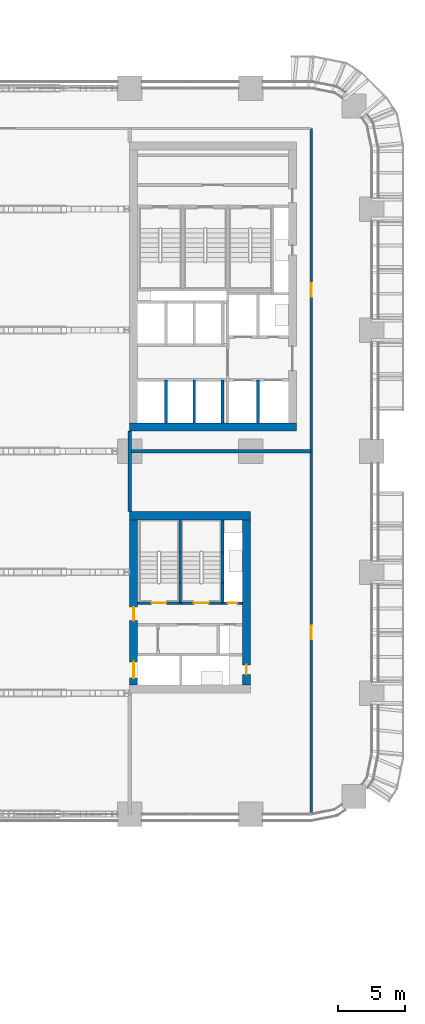
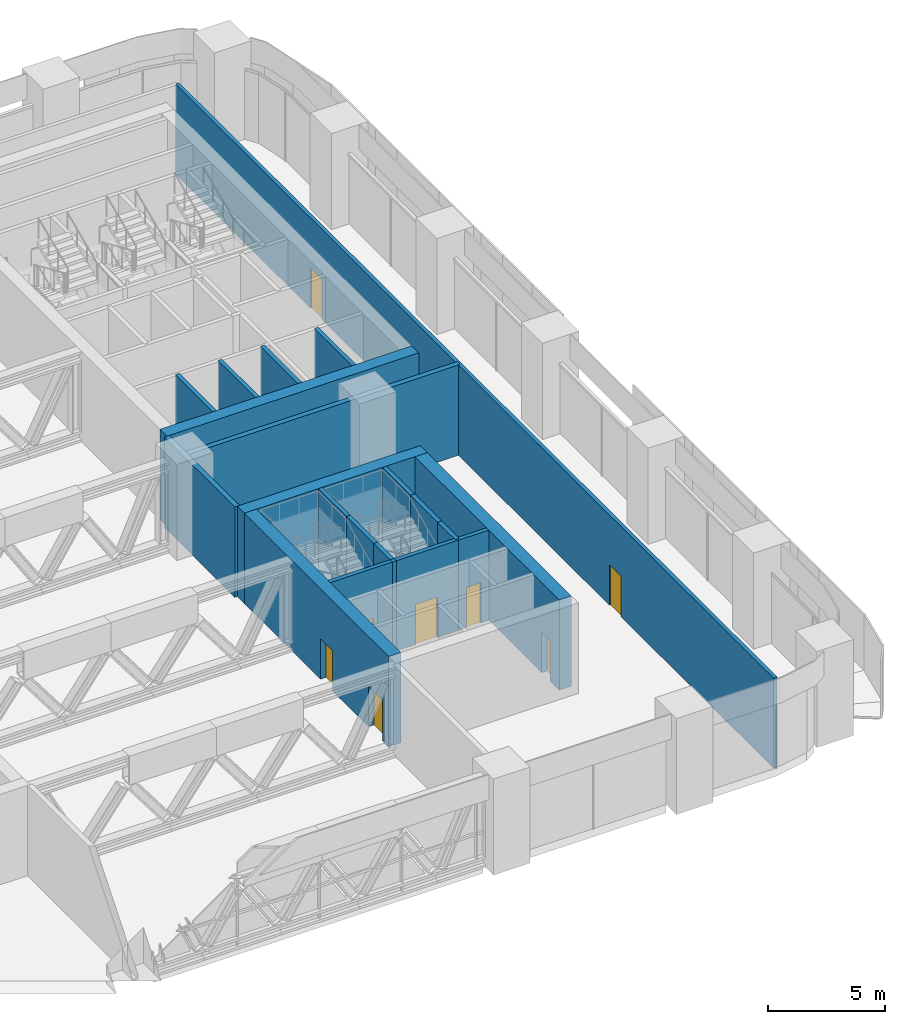
# One storey, part 23 of 35: 21 walls, 8 doors, 8 openings.
"""IFC4 building model written with IfcOpenShell, lengths in metres."""

from ifc_helpers import new_model, si_unit, direction, frame, frame_2d, origin, place, context, subcontext, project, spatial, rectangle, extrude, material, layer, layer_set, type_object, element, fill, save


model = new_model("IFC4")

# Units and contexts
model_context = context("Model", 3, precision=1e-05, world=origin(), true_north=direction((0.0, 1.0)))
body_context = subcontext(model_context, "Body", "Model", "MODEL_VIEW")
ifc_project = project(units=[si_unit("LENGTHUNIT", "METRE"), si_unit("AREAUNIT", "SQUARE_METRE"), si_unit("VOLUMEUNIT", "CUBIC_METRE"), si_unit("PLANEANGLEUNIT", "RADIAN"), si_unit("MASSUNIT", "GRAM", prefix="KILO")], contexts=[model_context])

# Site, building, storey
site_placement = place(None, origin())
site = spatial("IfcSite", under=ifc_project, at=site_placement, CompositionType="ELEMENT")
building_placement = place(site_placement, origin())
building = spatial("IfcBuilding", under=site, at=building_placement, Name="Tessera Arch", CompositionType="ELEMENT")
storey_placement = place(building_placement, frame((0.0, 0.0, 26.0)))
storey = spatial("IfcBuildingStorey", under=building, at=storey_placement, Name="L04", CompositionType="ELEMENT", Elevation=26.0)

# Walls
ifc_material_1 = material(Name="Concrete C70/85", Category="concrete")
ifc_layer_1 = layer(ifc_material_1, 0.60009765625)
ifc_layer_set_1 = layer_set([ifc_layer_1], Name="Core shell wall 600 C70-85")
wall_type_1 = type_object("IfcWallType", Name="Core shell wall 600 C70-85", PredefinedType="SHEAR", material=ifc_layer_set_1)
wall_1_placement = place(storey_placement, frame((36.0, 28.800048828125, 0.0), z_axis=(0.0, 0.0, 1.0), x_axis=(1.0, 0.0, 0.0)))
element("IfcWall", 1, at=wall_1_placement, inside=storey, type_object=wall_type_1, Name="L04 C1 core wall S", PredefinedType="SHEAR", context=body_context, shape_type="SweptSolid", body=[
    extrude(rectangle(XDim=12.39990234375, YDim=0.60009765625, at=frame_2d((6.199951171875, 0.0))), origin(), (0.0, 0.0, 1.0), 4.699951171875),
])
wall_2_placement = place(storey_placement, frame((36.0, 22.199951171875, 0.0), z_axis=(0.0, 0.0, 1.0), x_axis=(1.0, 0.0, 0.0)))
element("IfcWall", 2, at=wall_2_placement, inside=storey, type_object=wall_type_1, Name="L04 C3 core wall N", PredefinedType="SHEAR", context=body_context, shape_type="SweptSolid", body=[
    extrude(rectangle(XDim=9.0, YDim=0.60009765625, at=frame_2d((4.5, 0.0))), origin(), (0.0, 0.0, 1.0), 4.699951171875),
])

# Wall, openings, doors
wall_3_placement = place(storey_placement, frame((36.300048828125, 9.60009765625, 0.0), z_axis=(0.0, 0.0, 1.0), x_axis=(0.0, 1.0, 0.0)))
wall_3 = element("IfcWall", 3, at=wall_3_placement, inside=storey, type_object=wall_type_1, Name="L04 C3 core wall W", PredefinedType="SHEAR", context=body_context, shape_type="SweptSolid", body=[
    extrude(rectangle(XDim=12.2998046875, YDim=0.60009765625, at=frame_2d((6.14990234375, 0.0))), origin(), (0.0, 0.0, 1.0), 4.699951171875),
])
opening_1_placement = place(wall_3_placement, frame((0.52490234375, 0.0, 0.0)))
opening_1 = element("IfcOpeningElement", 4, at=opening_1_placement, cuts=wall_3, Name="Opening L04-C22", PredefinedType="OPENING", context=body_context, shape_type="SweptSolid", body=[
    extrude(rectangle(XDim=1.199951171875, YDim=2.10009765625, at=frame_2d((0.60009765625, 1.050048828125))), frame((0.0, 0.31005859375, 0.0), z_axis=(0.0, -1.0, 0.0), x_axis=(1.0, 0.0, 0.0)), (0.0, 0.0, 1.0), 0.6201171875),
])
opening_2_placement = place(wall_3_placement, frame((4.800048828125, 0.0, 0.0)))
opening_2 = element("IfcOpeningElement", 5, at=opening_2_placement, cuts=wall_3, Name="Opening L04-C28", PredefinedType="OPENING", context=body_context, shape_type="SweptSolid", body=[
    extrude(rectangle(XDim=1.0, YDim=2.10009765625, at=frame_2d((0.5, 1.050048828125))), frame((0.0, 0.31005859375, 0.0), z_axis=(0.0, -1.0, 0.0), x_axis=(1.0, 0.0, 0.0)), (0.0, 0.0, 1.0), 0.6201171875),
])
ifc_material_2 = material(Name="Steel door leaf", Category="steel")
door_type_1 = type_object("IfcDoorType", Name="Corridor door FD60 1000 x 2100", OperationType="SINGLE_SWING_LEFT", PredefinedType="DOOR", material=ifc_material_2)
door_1_placement = place(opening_2_placement, origin())
door_1 = element("IfcDoor", 6, at=door_1_placement, inside=storey, type_object=door_type_1, Name="L04 C3 door 7 C28 type D12", OperationType="SINGLE_SWING_LEFT", OverallHeight=2.10009765625, OverallWidth=1.0, PredefinedType="DOOR", context=body_context, shape_type="SweptSolid", body=[
    extrude(rectangle(XDim=1.0, YDim=2.10009765625, at=frame_2d((0.5, 1.050048828125))), frame((0.0, 0.02490234375, 0.0), z_axis=(0.0, -1.0, 0.0), x_axis=(1.0, 0.0, 0.0)), (0.0, 0.0, 1.0), 0.050048828125),
])
fill(opening_2, door_1)
ifc_material_3 = material(Name="Stainless steel AISI 304", Category="steel")
door_type_2 = type_object("IfcDoorType", Name="Sliding landing door 1200 x 2100", OperationType="SLIDING_TO_LEFT", PredefinedType="DOOR", material=ifc_material_3)
door_2_placement = place(opening_1_placement, origin())
door_2 = element("IfcDoor", 7, at=door_2_placement, inside=storey, type_object=door_type_2, Name="L04 SV1 lift landing door C22 type LD", OperationType="SLIDING_TO_LEFT", OverallHeight=2.10009765625, OverallWidth=1.199951171875, PredefinedType="DOOR", context=body_context, shape_type="SweptSolid", body=[
    extrude(rectangle(XDim=1.199951171875, YDim=2.10009765625, at=frame_2d((0.60009765625, 1.050048828125))), frame((0.0, 0.02490234375, 0.0), z_axis=(0.0, -1.0, 0.0), x_axis=(1.0, 0.0, 0.0)), (0.0, 0.0, 1.0), 0.050048828125),
])
fill(opening_1, door_2)

# Wall, opening, door
wall_4_placement = place(storey_placement, frame((44.699951171875, 9.60009765625, 0.0), z_axis=(0.0, 0.0, 1.0), x_axis=(0.0, 1.0, 0.0)))
wall_4 = element("IfcWall", 8, at=wall_4_placement, inside=storey, type_object=wall_type_1, Name="L04 C3 core wall E", PredefinedType="SHEAR", context=body_context, shape_type="SweptSolid", body=[
    extrude(rectangle(XDim=12.2998046875, YDim=0.60009765625, at=frame_2d((6.14990234375, 0.0))), origin(), (0.0, 0.0, 1.0), 4.699951171875),
])
opening_3_placement = place(wall_4_placement, frame((0.800048828125, 0.0, 0.0)))
opening_3 = element("IfcOpeningElement", 9, at=opening_3_placement, cuts=wall_4, Name="Opening L04-C27", PredefinedType="OPENING", context=body_context, shape_type="SweptSolid", body=[
    extrude(rectangle(XDim=0.699951171875, YDim=2.10009765625, at=frame_2d((0.35009765625, 1.050048828125))), frame((0.0, 0.31005859375, 0.0), z_axis=(0.0, -1.0, 0.0), x_axis=(1.0, 0.0, 0.0)), (0.0, 0.0, 1.0), 0.6201171875),
])
ifc_material_4 = material(Name="Steel door leaf", Category="steel")
door_type_3 = type_object("IfcDoorType", Name="Service shaft door FD60 700 x 2100", OperationType="SINGLE_SWING_LEFT", PredefinedType="DOOR", material=ifc_material_4)
door_3_placement = place(opening_3_placement, origin())
door_3 = element("IfcDoor", 10, at=door_3_placement, inside=storey, type_object=door_type_3, Name="L04 C3 door 6 C27 type D07", OperationType="SINGLE_SWING_LEFT", OverallHeight=2.10009765625, OverallWidth=0.699951171875, PredefinedType="DOOR", context=body_context, shape_type="SweptSolid", body=[
    extrude(rectangle(XDim=0.699951171875, YDim=2.10009765625, at=frame_2d((0.35009765625, 1.050048828125))), frame((0.0, 0.02490234375, 0.0), z_axis=(0.0, -1.0, 0.0), x_axis=(1.0, 0.0, 0.0)), (0.0, 0.0, 1.0), 0.050048828125),
])
fill(opening_3, door_3)

# Wall, openings, doors
ifc_material_5 = material(Name="Gypsum board on deep steel stud with mineral wool", Category="steel")
ifc_layer_2 = layer(ifc_material_5, 0.175048828125)
ifc_layer_set_2 = layer_set([ifc_layer_2], Name="Corridor wall 175 EI 60")
wall_type_2 = type_object("IfcWallType", Name="Corridor wall 175 EI 60", PredefinedType="PARTITIONING", material=ifc_layer_set_2)
wall_5_placement = place(storey_placement, frame((49.5, 0.0, 0.0), z_axis=(0.0, 0.0, 1.0), x_axis=(0.0, 1.0, 0.0)))
wall_5 = element("IfcWall", 11, at=wall_5_placement, inside=storey, type_object=wall_type_2, Name="L04 partition 3", PredefinedType="PARTITIONING", context=body_context, shape_type="SweptSolid", body=[
    extrude(rectangle(XDim=51.0, YDim=0.175048828125, at=frame_2d((25.5, 0.0))), origin(), (0.0, 0.0, 1.0), 4.699951171875),
])
opening_4_placement = place(wall_5_placement, frame((13.0, 0.0, 0.0)))
opening_4 = element("IfcOpeningElement", 12, at=opening_4_placement, cuts=wall_5, Name="Opening L04-D003", PredefinedType="OPENING", context=body_context, shape_type="SweptSolid", body=[
    extrude(rectangle(XDim=1.0, YDim=2.10009765625, at=frame_2d((0.5, 1.050048828125))), frame((0.0, 0.097412109375, 0.0), z_axis=(0.0, -1.0, 0.0), x_axis=(1.0, 0.0, 0.0)), (0.0, 0.0, 1.0), 0.195068359375),
])
opening_5_placement = place(wall_5_placement, frame((38.5, 0.0, 0.0)))
opening_5 = element("IfcOpeningElement", 13, at=opening_5_placement, cuts=wall_5, Name="Opening L04-D004", PredefinedType="OPENING", context=body_context, shape_type="SweptSolid", body=[
    extrude(rectangle(XDim=1.0, YDim=2.10009765625, at=frame_2d((0.5, 1.050048828125))), frame((0.0, 0.097412109375, 0.0), z_axis=(0.0, -1.0, 0.0), x_axis=(1.0, 0.0, 0.0)), (0.0, 0.0, 1.0), 0.195068359375),
])
ifc_material_6 = material(Name="Fire-rated door leaf")
door_type_4 = type_object("IfcDoorType", Name="Entrance door FD60 1000 x 2100", OperationType="SINGLE_SWING_LEFT", PredefinedType="DOOR", material=ifc_material_6)
door_4_placement = place(opening_4_placement, origin())
door_4 = element("IfcDoor", 14, at=door_4_placement, inside=storey, type_object=door_type_4, Name="L04 door D003 type D16", OperationType="SINGLE_SWING_RIGHT", OverallHeight=2.10009765625, OverallWidth=1.0, PredefinedType="DOOR", context=body_context, shape_type="SweptSolid", body=[
    extrude(rectangle(XDim=1.0, YDim=2.10009765625, at=frame_2d((0.5, 1.050048828125))), frame((0.0, 0.02490234375, 0.0), z_axis=(0.0, -1.0, 0.0), x_axis=(1.0, 0.0, 0.0)), (0.0, 0.0, 1.0), 0.050048828125),
])
fill(opening_4, door_4)
door_5_placement = place(opening_5_placement, origin())
door_5 = element("IfcDoor", 15, at=door_5_placement, inside=storey, type_object=door_type_4, Name="L04 door D004 type D16", OperationType="SINGLE_SWING_RIGHT", OverallHeight=2.10009765625, OverallWidth=1.0, PredefinedType="DOOR", context=body_context, shape_type="SweptSolid", body=[
    extrude(rectangle(XDim=1.0, YDim=2.10009765625, at=frame_2d((0.5, 1.050048828125))), frame((0.0, 0.02490234375, 0.0), z_axis=(0.0, -1.0, 0.0), x_axis=(1.0, 0.0, 0.0)), (0.0, 0.0, 1.0), 0.050048828125),
])
fill(opening_5, door_5)

# Walls
ifc_material_7 = material(Name="Double gypsum board on twin steel stud with acoustic mineral wool", Category="steel")
ifc_layer_3 = layer(ifc_material_7, 0.25)
ifc_layer_set_3 = layer_set([ifc_layer_3], Name="Party wall 250 EI 60")
wall_type_3 = type_object("IfcWallType", Name="Party wall 250 EI 60", PredefinedType="PARTITIONING", material=ifc_layer_set_3)
wall_6_placement = place(storey_placement, frame((36.0, 27.0, 0.0), z_axis=(0.0, 0.0, 1.0), x_axis=(1.0, 0.0, 0.0)))
element("IfcWall", 16, at=wall_6_placement, inside=storey, type_object=wall_type_3, Name="L04 partition 5", PredefinedType="PARTITIONING", context=body_context, shape_type="SweptSolid", body=[
    extrude(rectangle(XDim=13.5, YDim=0.25, at=frame_2d((6.75, 0.0))), origin(), (0.0, 0.0, 1.0), 4.699951171875),
])
wall_7_placement = place(storey_placement, frame((36.0, 22.5, 0.0), z_axis=(0.0, 0.0, 1.0), x_axis=(0.0, 1.0, 0.0)))
element("IfcWall", 17, at=wall_7_placement, inside=storey, type_object=wall_type_3, Name="L04 partition 10", PredefinedType="PARTITIONING", context=body_context, shape_type="SweptSolid", body=[
    extrude(rectangle(XDim=6.0, YDim=0.25, at=frame_2d((3.0, 0.0))), origin(), (0.0, 0.0, 1.0), 4.699951171875),
])
ifc_material_8 = material(Name="Concrete C40/50", Category="concrete")
ifc_layer_4 = layer(ifc_material_8, 0.199951171875)
ifc_layer_set_4 = layer_set([ifc_layer_4], Name="Shaft wall 200 EI 120")
wall_type_4 = type_object("IfcWallType", Name="Shaft wall 200 EI 120", PredefinedType="SOLIDWALL", material=ifc_layer_set_4)
for number, where, z_axis, x_axis, name in (
    (18, (38.699951171875, 29.10009765625, 0.0), (0.0, 0.0, 1.0), (0.0, 1.0, 0.0), "L04 C1 shaft wall 1"),
    (19, (40.800048828125, 29.10009765625, 0.0), (0.0, 0.0, 1.0), (0.0, 1.0, 0.0), "L04 C1 shaft wall 6"),
    (20, (42.89990234375, 29.10009765625, 0.0), (0.0, 0.0, 1.0), (0.0, 1.0, 0.0), "L04 C1 shaft wall 8"),
    (21, (45.550048828125, 29.10009765625, 0.0), (0.0, 0.0, 1.0), (0.0, 1.0, 0.0), "L04 C1 shaft wall 14"),
):
    element("IfcWall", number, at=place(storey_placement, frame(where, z_axis=z_axis, x_axis=x_axis)), inside=storey, type_object=wall_type_4, Name=name, PredefinedType="SOLIDWALL", context=body_context, shape_type="SweptSolid", body=[
        extrude(rectangle(XDim=3.199951171875, YDim=0.199951171875, at=frame_2d((1.60009765625, 0.0))), origin(), (0.0, 0.0, 1.0), 4.699951171875),
    ])

# Wall, opening, door
wall_8_placement = place(storey_placement, frame((42.89990234375, 15.699951171875, 0.0), z_axis=(0.0, 0.0, 1.0), x_axis=(1.0, 0.0, 0.0)))
wall_8 = element("IfcWall", 22, at=wall_8_placement, inside=storey, type_object=wall_type_4, Name="L04 C3 shaft wall 13", PredefinedType="SOLIDWALL", context=body_context, shape_type="SweptSolid", body=[
    extrude(rectangle(XDim=1.5, YDim=0.199951171875, at=frame_2d((0.75, 0.0))), origin(), (0.0, 0.0, 1.0), 4.699951171875),
])
opening_6_placement = place(wall_8_placement, frame((0.39990234375, 0.0, 0.0)))
opening_6 = element("IfcOpeningElement", 23, at=opening_6_placement, cuts=wall_8, Name="Opening L04-C25", PredefinedType="OPENING", context=body_context, shape_type="SweptSolid", body=[
    extrude(rectangle(XDim=0.699951171875, YDim=2.10009765625, at=frame_2d((0.35009765625, 1.050048828125))), frame((0.0, 0.10986328125, 0.0), z_axis=(0.0, -1.0, 0.0), x_axis=(1.0, 0.0, 0.0)), (0.0, 0.0, 1.0), 0.219970703125),
])
door_6_placement = place(opening_6_placement, origin())
door_6 = element("IfcDoor", 24, at=door_6_placement, inside=storey, type_object=door_type_3, Name="L04 C3 door 4 C25 type D07", OperationType="SINGLE_SWING_LEFT", OverallHeight=2.10009765625, OverallWidth=0.699951171875, PredefinedType="DOOR", context=body_context, shape_type="SweptSolid", body=[
    extrude(rectangle(XDim=0.699951171875, YDim=2.10009765625, at=frame_2d((0.35009765625, 1.050048828125))), frame((0.0, 0.02490234375, 0.0), z_axis=(0.0, -1.0, 0.0), x_axis=(1.0, 0.0, 0.0)), (0.0, 0.0, 1.0), 0.050048828125),
])
fill(opening_6, door_6)

# Walls
ifc_material_9 = material(Name="Concrete C40/50", Category="concrete")
ifc_layer_5 = layer(ifc_material_9, 0.199951171875)
ifc_layer_set_5 = layer_set([ifc_layer_5], Name="Stair well wall 200 REI 180")
wall_type_5 = type_object("IfcWallType", Name="Stair well wall 200 REI 180", PredefinedType="SOLIDWALL", material=ifc_layer_set_5)
wall_9_placement = place(storey_placement, frame((39.75, 15.699951171875, 0.0), z_axis=(0.0, 0.0, 1.0), x_axis=(0.0, 1.0, 0.0)))
element("IfcWall", 25, at=wall_9_placement, inside=storey, type_object=wall_type_5, Name="L04 C3 shaft wall 2", PredefinedType="SOLIDWALL", context=body_context, shape_type="SweptSolid", body=[
    extrude(rectangle(XDim=1.5, YDim=0.199951171875, at=frame_2d((0.75, 0.0))), origin(), (0.0, 0.0, 1.0), 4.699951171875),
])
wall_10_placement = place(storey_placement, frame((39.75, 17.199951171875, 0.0), z_axis=(0.0, 0.0, 1.0), x_axis=(0.0, 1.0, 0.0)))
element("IfcWall", 26, at=wall_10_placement, inside=storey, type_object=wall_type_5, Name="L04 C3 shaft wall 3", PredefinedType="SOLIDWALL", context=body_context, shape_type="SweptSolid", body=[
    extrude(rectangle(XDim=2.31005859375, YDim=0.199951171875, at=frame_2d((1.155029296875, 0.0))), origin(), (0.0, 0.0, 1.0), 4.699951171875),
])
wall_11_placement = place(storey_placement, frame((39.75, 19.510009765625, 0.0), z_axis=(0.0, 0.0, 1.0), x_axis=(0.0, 1.0, 0.0)))
element("IfcWall", 27, at=wall_11_placement, inside=storey, type_object=wall_type_5, Name="L04 C3 shaft wall 4", PredefinedType="SOLIDWALL", context=body_context, shape_type="SweptSolid", body=[
    extrude(rectangle(XDim=2.389892578125, YDim=0.199951171875, at=frame_2d((1.19482421875, 0.0))), origin(), (0.0, 0.0, 1.0), 4.699951171875),
])
wall_12_placement = place(storey_placement, frame((42.89990234375, 15.699951171875, 0.0), z_axis=(0.0, 0.0, 1.0), x_axis=(0.0, 1.0, 0.0)))
element("IfcWall", 28, at=wall_12_placement, inside=storey, type_object=wall_type_5, Name="L04 C3 shaft wall 7", PredefinedType="SOLIDWALL", context=body_context, shape_type="SweptSolid", body=[
    extrude(rectangle(XDim=1.5, YDim=0.199951171875, at=frame_2d((0.75, 0.0))), origin(), (0.0, 0.0, 1.0), 4.699951171875),
])
wall_13_placement = place(storey_placement, frame((42.89990234375, 17.199951171875, 0.0), z_axis=(0.0, 0.0, 1.0), x_axis=(0.0, 1.0, 0.0)))
element("IfcWall", 29, at=wall_13_placement, inside=storey, type_object=wall_type_5, Name="L04 C3 shaft wall 8", PredefinedType="SOLIDWALL", context=body_context, shape_type="SweptSolid", body=[
    extrude(rectangle(XDim=2.31005859375, YDim=0.199951171875, at=frame_2d((1.155029296875, 0.0))), origin(), (0.0, 0.0, 1.0), 4.699951171875),
])
wall_14_placement = place(storey_placement, frame((42.89990234375, 19.510009765625, 0.0), z_axis=(0.0, 0.0, 1.0), x_axis=(0.0, 1.0, 0.0)))
element("IfcWall", 30, at=wall_14_placement, inside=storey, type_object=wall_type_5, Name="L04 C3 shaft wall 9", PredefinedType="SOLIDWALL", context=body_context, shape_type="SweptSolid", body=[
    extrude(rectangle(XDim=2.389892578125, YDim=0.199951171875, at=frame_2d((1.19482421875, 0.0))), origin(), (0.0, 0.0, 1.0), 4.699951171875),
])

# Wall, opening, door
wall_15_placement = place(storey_placement, frame((36.60009765625, 15.699951171875, 0.0), z_axis=(0.0, 0.0, 1.0), x_axis=(1.0, 0.0, 0.0)))
wall_15 = element("IfcWall", 31, at=wall_15_placement, inside=storey, type_object=wall_type_5, Name="L04 C3 shaft wall 14", PredefinedType="SOLIDWALL", context=body_context, shape_type="SweptSolid", body=[
    extrude(rectangle(XDim=3.0498046875, YDim=0.199951171875, at=frame_2d((1.52490234375, 0.0))), origin(), (0.0, 0.0, 1.0), 4.699951171875),
])
opening_7_placement = place(wall_15_placement, frame((1.02490234375, 0.0, 0.0)))
opening_7 = element("IfcOpeningElement", 32, at=opening_7_placement, cuts=wall_15, Name="Opening L04-C23", PredefinedType="OPENING", context=body_context, shape_type="SweptSolid", body=[
    extrude(rectangle(XDim=1.10009765625, YDim=2.10009765625, at=frame_2d((0.550048828125, 1.050048828125))), frame((0.0, 0.10986328125, 0.0), z_axis=(0.0, -1.0, 0.0), x_axis=(1.0, 0.0, 0.0)), (0.0, 0.0, 1.0), 0.219970703125),
])
ifc_material_10 = material(Name="Steel door leaf", Category="steel")
door_type_5 = type_object("IfcDoorType", Name="Stair door FD60 1100 x 2100", OperationType="SINGLE_SWING_LEFT", PredefinedType="DOOR", material=ifc_material_10)
door_7_placement = place(opening_7_placement, origin())
door_7 = element("IfcDoor", 33, at=door_7_placement, inside=storey, type_object=door_type_5, Name="L04 C3 door 2 C23 type D05", OperationType="SINGLE_SWING_RIGHT", OverallHeight=2.10009765625, OverallWidth=1.10009765625, PredefinedType="DOOR", context=body_context, shape_type="SweptSolid", body=[
    extrude(rectangle(XDim=1.10009765625, YDim=2.10009765625, at=frame_2d((0.550048828125, 1.050048828125))), frame((0.0, 0.02490234375, 0.0), z_axis=(0.0, -1.0, 0.0), x_axis=(1.0, 0.0, 0.0)), (0.0, 0.0, 1.0), 0.050048828125),
])
fill(opening_7, door_7)

# Wall
wall_16_placement = place(storey_placement, frame((39.64990234375, 15.699951171875, 0.0), z_axis=(0.0, 0.0, 1.0), x_axis=(1.0, 0.0, 0.0)))
element("IfcWall", 34, at=wall_16_placement, inside=storey, type_object=wall_type_5, Name="L04 C3 shaft wall 15", PredefinedType="SOLIDWALL", context=body_context, shape_type="SweptSolid", body=[
    extrude(rectangle(XDim=0.2001953125, YDim=0.199951171875, at=frame_2d((0.10009765625, 0.0))), origin(), (0.0, 0.0, 1.0), 4.699951171875),
])

# Wall, opening, door
wall_17_placement = place(storey_placement, frame((39.85009765625, 15.699951171875, 0.0), z_axis=(0.0, 0.0, 1.0), x_axis=(1.0, 0.0, 0.0)))
wall_17 = element("IfcWall", 35, at=wall_17_placement, inside=storey, type_object=wall_type_5, Name="L04 C3 shaft wall 16", PredefinedType="SOLIDWALL", context=body_context, shape_type="SweptSolid", body=[
    extrude(rectangle(XDim=3.0498046875, YDim=0.199951171875, at=frame_2d((1.52490234375, 0.0))), origin(), (0.0, 0.0, 1.0), 4.699951171875),
])
opening_8_placement = place(wall_17_placement, frame((0.925048828125, 0.0, 0.0)))
opening_8 = element("IfcOpeningElement", 36, at=opening_8_placement, cuts=wall_17, Name="Opening L04-C24", PredefinedType="OPENING", context=body_context, shape_type="SweptSolid", body=[
    extrude(rectangle(XDim=1.10009765625, YDim=2.10009765625, at=frame_2d((0.550048828125, 1.050048828125))), frame((0.0, 0.10986328125, 0.0), z_axis=(0.0, -1.0, 0.0), x_axis=(1.0, 0.0, 0.0)), (0.0, 0.0, 1.0), 0.219970703125),
])
door_8_placement = place(opening_8_placement, origin())
door_8 = element("IfcDoor", 37, at=door_8_placement, inside=storey, type_object=door_type_5, Name="L04 C3 door 3 C24 type D05", OperationType="SINGLE_SWING_LEFT", OverallHeight=2.10009765625, OverallWidth=1.10009765625, PredefinedType="DOOR", context=body_context, shape_type="SweptSolid", body=[
    extrude(rectangle(XDim=1.10009765625, YDim=2.10009765625, at=frame_2d((0.550048828125, 1.050048828125))), frame((0.0, 0.02490234375, 0.0), z_axis=(0.0, -1.0, 0.0), x_axis=(1.0, 0.0, 0.0)), (0.0, 0.0, 1.0), 0.050048828125),
])
fill(opening_8, door_8)

save(model, "model.ifc")
